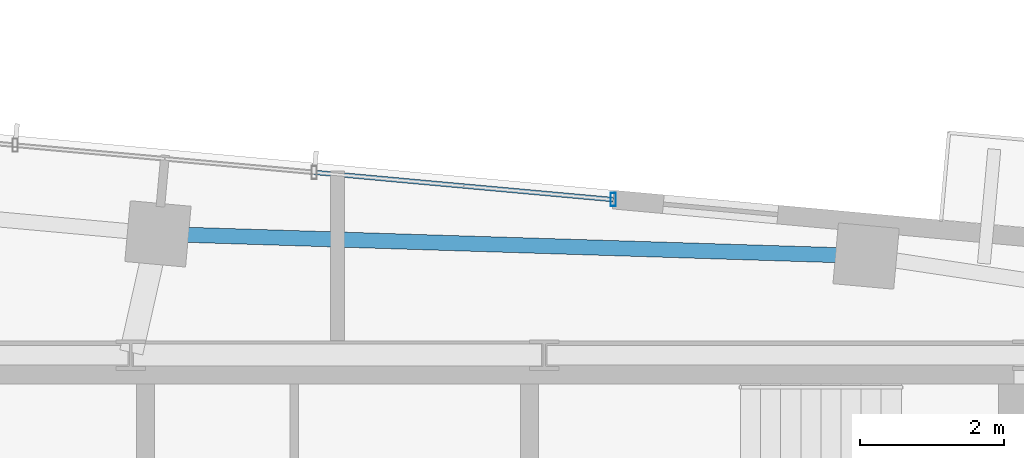
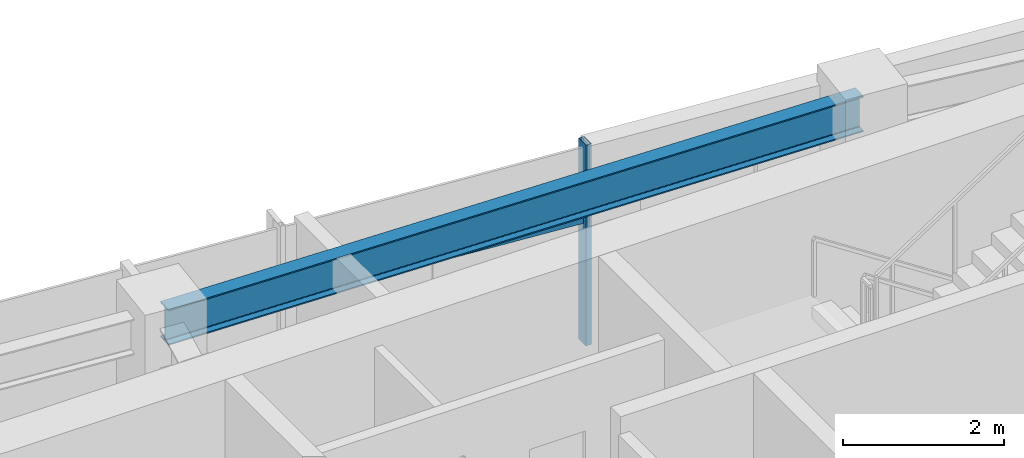
# One storey, part 11 of 22: 2 members, 1 beam, 1 element without a shape of its own.
"""IFC4 building model written with IfcOpenShell, lengths in metres."""

from ifc_helpers import new_model, si_unit, direction, frame, origin, origin_2d, place, context, subcontext, project, spatial, hollow_rectangle, i_section, extrude, source, transform, mapped, material, material_profile, profile_set, type_object, type_shapes, element, aggregate, save


model = new_model("IFC4")

# Units and contexts
model_context = context("Model", 3, precision=1e-05, world=origin(), true_north=direction((0.0, 1.0)))
body_context = subcontext(model_context, "Body", "Model", "MODEL_VIEW")
ifc_project = project(units=[si_unit("LENGTHUNIT", "METRE"), si_unit("AREAUNIT", "SQUARE_METRE"), si_unit("VOLUMEUNIT", "CUBIC_METRE"), si_unit("PLANEANGLEUNIT", "RADIAN"), si_unit("MASSUNIT", "GRAM", prefix="KILO")], contexts=[model_context])

# Site, building, storey
site_placement = place(None, origin())
site = spatial("IfcSite", under=ifc_project, at=site_placement, CompositionType="ELEMENT")
building_placement = place(site_placement, origin())
building = spatial("IfcBuilding", under=site, at=building_placement, Name="Astriad Promenade Condominiums", CompositionType="ELEMENT")
storey_placement = place(building_placement, frame((0.0, 0.0, 249.60009765625)))
storey = spatial("IfcBuildingStorey", under=building, at=storey_placement, Name="L72", CompositionType="ELEMENT", Elevation=249.60009765625)

# Beam
ifc_material_1 = material(Name="Steel ASTM A992 Grade 50", Category="steel")
ifc_material_profile_1 = material_profile(ifc_material_1, i_section(OverallWidth=0.210693359375, OverallDepth=0.53955078125, WebThickness=0.01171875, FlangeThickness=0.018798828125, FilletRadius=0.0166015625, at=origin_2d()), Name="W21X73")
ifc_profile_set_1 = profile_set([ifc_material_profile_1], Name="Steel ASTM A992 Grade 50")
beam_type = type_object("IfcBeamType", Name="STEEL SPANDREL BEAM W21X73", PredefinedType="SPANDREL", material=ifc_profile_set_1)
shared_shape_1 = source(origin(), body_context, "Body", "SweptSolid", [
    extrude(i_section(OverallWidth=0.210693359375, OverallDepth=0.53955078125, WebThickness=0.01171875, FlangeThickness=0.018798828125, FilletRadius=0.0166015625, at=origin_2d()), origin(), (0.0, 0.0, 1.0), 9.783935546875),
])
type_shapes(beam_type, [shared_shape_1])
beam_placement = place(storey_placement, frame((43.31884765625, 25.381103515625, 2.77001953125), z_axis=(-0.999511077438, 0.031266692798, 0.0), x_axis=(-0.031266692798, -0.999511077438, 0.0)))
element("IfcBeam", 1, at=beam_placement, inside=storey, type_object=beam_type, Name="Perimeter Spandrel Beam SP-N3-L72", PredefinedType="SPANDREL", context=body_context, shape_type="MappedRepresentation", body=[
    mapped(shared_shape_1, transform((0.0, 0.0, 0.0), scale=1.0)),
])

# Curtain wall, members
ifc_material_2 = material(Name="Anodised aluminium Black Dark Glass Unitised", Category="aluminium")
curtain_wall_type = type_object("IfcCurtainWallType", Name="CW-B5-DARK", PredefinedType="USERDEFINED", material=ifc_material_2)
curtain_wall_placement = place(storey_placement, origin())
curtain_wall = element("IfcCurtainWall", 2, at=curtain_wall_placement, inside=storey, type_object=curtain_wall_type, Name="CW-L72-N", ObjectType="UNITISED_CURTAIN_WALL", PredefinedType="USERDEFINED")
ifc_material_3 = material(Name="Anodised aluminium 6063-T6 Black", Category="aluminium")
ifc_material_profile_2 = material_profile(ifc_material_3, hollow_rectangle(XDim=0.074951171875, YDim=0.18505859375, WallThickness=0.00439453125, at=origin_2d()), Name="ALU-MUL-75X185")
ifc_profile_set_2 = profile_set([ifc_material_profile_2], Name="Anodised aluminium 6063-T6 Black")
member_type_1 = type_object("IfcMemberType", Name="MUL-ALU-MUL-75X185", PredefinedType="MULLION", material=ifc_profile_set_2)
shared_shape_2 = source(origin(), body_context, "Body", "SweptSolid", [
    extrude(hollow_rectangle(XDim=0.074951171875, YDim=0.18505859375, WallThickness=0.00439453125, at=origin_2d()), origin(), (0.0, 0.0, 1.0), 3.039794921875),
])
type_shapes(member_type_1, [shared_shape_2])
member_1_placement = place(storey_placement, frame((39.839111328125, 26.16552734375, 0.0), z_axis=(0.0, 0.0, 1.0), x_axis=(1.0, 0.0, 0.0)))
member_1 = element("IfcMember", 3, at=member_1_placement, type_object=member_type_1, Name="CW-L72-N-MUL-03", PredefinedType="MULLION", context=body_context, shape_type="MappedRepresentation", body=[
    mapped(shared_shape_2, transform((0.0, 0.0, 0.0), scale=1.0)),
])
ifc_material_profile_3 = material_profile(ifc_material_3, hollow_rectangle(XDim=0.06494140625, YDim=0.1298828125, WallThickness=0.00390625, at=origin_2d()), Name="ALU-TRN-65X130")
ifc_profile_set_3 = profile_set([ifc_material_profile_3], Name="Anodised aluminium 6063-T6 Black")
member_type_2 = type_object("IfcMemberType", Name="TRN-ALU-TRN-65X130", PredefinedType="USERDEFINED", material=ifc_profile_set_3)
shared_shape_3 = source(origin(), body_context, "Body", "SweptSolid", [
    extrude(hollow_rectangle(XDim=0.06494140625, YDim=0.1298828125, WallThickness=0.00390625, at=origin_2d()), origin(), (0.0, 0.0, 1.0), 4.179931640625),
])
type_shapes(member_type_2, [shared_shape_3])
member_2_placement = place(storey_placement, frame((35.67626953125, 26.54443359375, 1.884765625), z_axis=(0.995883146811, -0.090646334165, 0.0), x_axis=(0.090646334165, 0.995883146811, 0.0)))
member_2 = element("IfcMember", 4, at=member_2_placement, type_object=member_type_2, Name="CW-L72-N-TRN-02-0", ObjectType="TRANSOM", PredefinedType="USERDEFINED", context=body_context, shape_type="MappedRepresentation", body=[
    mapped(shared_shape_3, transform((0.0, 0.0, 0.0), scale=1.0)),
])
aggregate(curtain_wall, [member_1, member_2])

save(model, "model.ifc")
